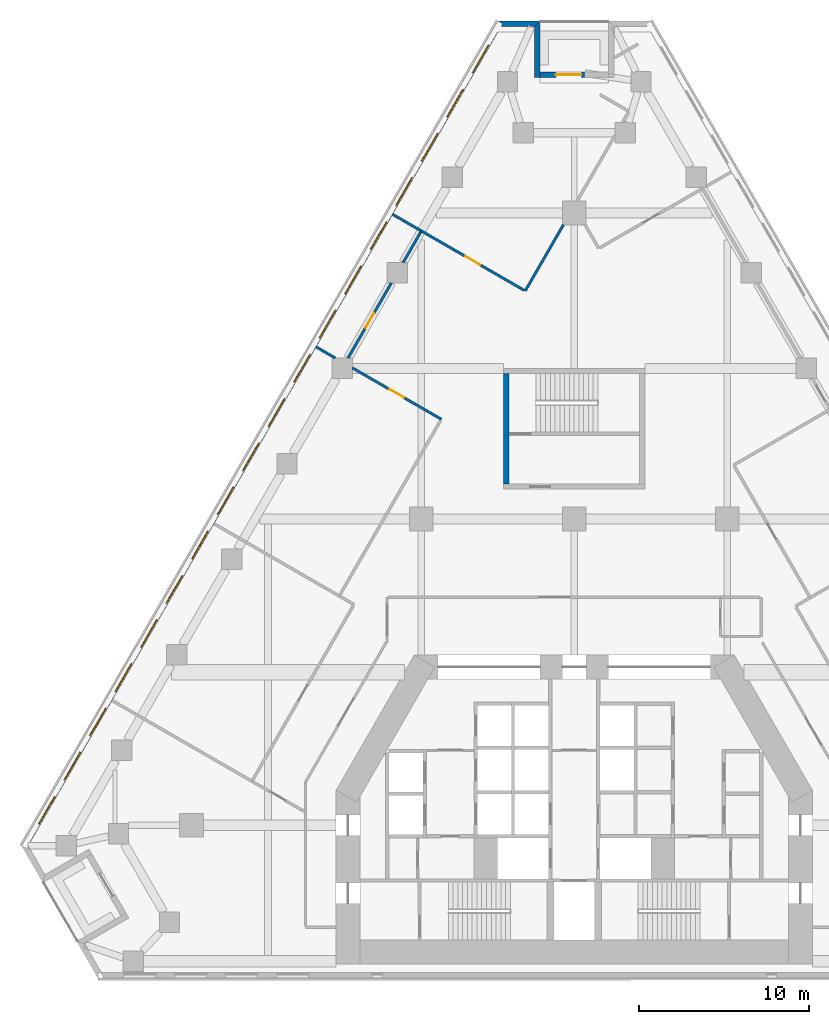
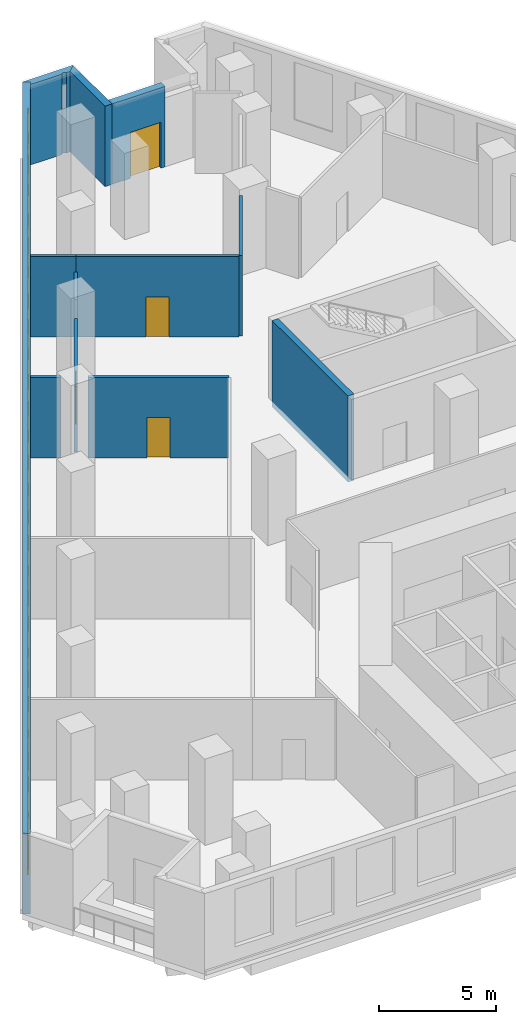
# One storey, part 9 of 14: 18 windows, 12 walls, 4 doors, 22 openings.
"""IFC4 building model written with IfcOpenShell, lengths in metres."""

from ifc_helpers import new_model, si_unit, direction, frame, frame_2d, origin, place, context, subcontext, project, spatial, polyline, rectangle, outline, extrude, material, layer, layer_set, type_object, element, fill, save


model = new_model("IFC4")

# Units and contexts
model_context = context("Model", 3, precision=1e-05, world=origin(), true_north=direction((0.0, 1.0)))
body_context = subcontext(model_context, "Body", "Model", "MODEL_VIEW")
ifc_project = project(units=[si_unit("LENGTHUNIT", "METRE"), si_unit("AREAUNIT", "SQUARE_METRE"), si_unit("VOLUMEUNIT", "CUBIC_METRE"), si_unit("PLANEANGLEUNIT", "RADIAN"), si_unit("MASSUNIT", "GRAM", prefix="KILO")], contexts=[model_context])

# Site, building, storey
site_placement = place(None, origin())
site = spatial("IfcSite", under=ifc_project, at=site_placement, CompositionType="ELEMENT")
building_placement = place(site_placement, origin())
building = spatial("IfcBuilding", under=site, at=building_placement, Name="Fogline Exchange Tower", CompositionType="ELEMENT")
storey_placement = place(building_placement, frame((0.0, 0.0, 34.0)))
storey = spatial("IfcBuildingStorey", under=building, at=storey_placement, Name="L06", CompositionType="ELEMENT", Elevation=34.0)

# Wall
ifc_material_1 = material(Name="Concrete C40", Category="concrete")
ifc_layer_1 = layer(ifc_material_1, 0.300048828125)
ifc_layer_set_1 = layer_set([ifc_layer_1], Name="CW30")
wall_type_1 = type_object("IfcWallType", Name="CW30", PredefinedType="SOLIDWALL", material=ifc_layer_set_1)
wall_1_placement = place(storey_placement, frame((-4.0, 29.056884765625, -0.300048828125), z_axis=(0.0, 0.0, 1.0), x_axis=(0.0, 1.0, 0.0)))
element("IfcWall", 1, at=wall_1_placement, inside=storey, type_object=wall_type_1, Name="Stair enclosure wall ST3", PredefinedType="SOLIDWALL", context=body_context, shape_type="SweptSolid", body=[
    extrude(rectangle(XDim=6.5, YDim=0.300048828125, at=frame_2d((3.25, 0.0))), origin(), (0.0, 0.0, 1.0), 4.5),
])

# Wall, opening, door
ifc_material_2 = material(Name="Brick masonry", Category="masonry")
ifc_layer_2 = layer(ifc_material_2, 0.340087890625)
ifc_layer_set_2 = layer_set([ifc_layer_2], Name="FW1")
wall_type_2 = type_object("IfcWallType", Name="FW1", PredefinedType="SOLIDWALL", material=ifc_layer_set_2)
wall_2_placement = place(storey_placement, frame((0.61328125, 53.12158203125, 0.0), z_axis=(0.0, 0.0, 1.0), x_axis=(-1.0, 0.0, 0.0)))
wall_2 = element("IfcWall", 2, at=wall_2_placement, inside=storey, type_object=wall_type_2, Name="Brick wall L06 N-bk", PredefinedType="SOLIDWALL", context=body_context, shape_type="SweptSolid", body=[
    extrude(rectangle(XDim=2.61328125, YDim=0.340087890625, at=frame_2d((1.306640625, 0.0))), origin(), (0.0, 0.0, 1.0), 4.199951171875),
])
opening_1_placement = place(wall_2_placement, frame((0.199951171875, 0.0, 0.0)))
opening_1 = element("IfcOpeningElement", 3, at=opening_1_placement, cuts=wall_2, Name="Opening T01-E141", PredefinedType="OPENING", context=body_context, shape_type="SweptSolid", body=[
    extrude(rectangle(XDim=1.5, YDim=2.39990234375, at=frame_2d((0.75, 1.199951171875))), frame((0.0, 0.18017578125, 0.0), z_axis=(0.0, -1.0, 0.0), x_axis=(1.0, 0.0, 0.0)), (0.0, 0.0, 1.0), 0.360107421875),
])
ifc_material_3 = material(Name="Aluminium and glass", Category="aluminium")
door_type_1 = type_object("IfcDoorType", Name="ED4", OperationType="SINGLE_SWING_LEFT", PredefinedType="DOOR", material=ifc_material_3)
door_1_placement = place(opening_1_placement, frame((1.5, 0.0, 0.0), z_axis=(0.0, 0.0, 1.0), x_axis=(-1.0, 0.0, 0.0)))
door_1 = element("IfcDoor", 4, at=door_1_placement, inside=storey, type_object=door_type_1, Name="Balcony door L06 N", OperationType="DOUBLE_DOOR_SINGLE_SWING", OverallHeight=2.39990234375, OverallWidth=1.5, PredefinedType="DOOR", context=body_context, shape_type="SweptSolid", body=[
    extrude(rectangle(XDim=1.5, YDim=2.39990234375, at=frame_2d((0.75, 1.199951171875))), frame((0.0, 0.02490234375, 0.0), z_axis=(0.0, -1.0, 0.0), x_axis=(1.0, 0.0, 0.0)), (0.0, 0.0, 1.0), 0.050048828125),
])
fill(opening_1, door_1)

# Walls
wall_3_placement = place(storey_placement, origin())
element("IfcWall", 5, at=wall_3_placement, inside=storey, type_object=wall_type_2, Name="Brick wall L06 N-s2", PredefinedType="SOLIDWALL", context=body_context, shape_type="SweptSolid", body=[
    extrude(outline(polyline([(-1.99951171875, 56.292724609375), (-1.99951171875, 52.951171875), (-2.340576171875, 52.951171875), (-2.340576171875, 55.951904296875), (-1.999755859375, 56.292724609375), (-1.99951171875, 56.292724609375)])), origin(), (0.0, 0.0, 1.0), 4.199951171875),
])
wall_4_placement = place(storey_placement, origin())
element("IfcWall", 6, at=wall_4_placement, inside=storey, type_object=wall_type_2, Name="Brick wall L06 N-c2", PredefinedType="SOLIDWALL", context=body_context, shape_type="SweptSolid", body=[
    extrude(outline(polyline([(-4.206298828125, 56.121337890625), (-4.501220703125, 56.291748046875), (-4.5009765625, 56.292236328125), (-1.9990234375, 56.292236328125), (-1.998779296875, 56.2919921875), (-2.33984375, 55.951171875), (-2.510009765625, 55.951171875), (-2.695068359375, 56.031494140625), (-2.72998046875, 55.951171875), (-4.3046875, 55.951171875), (-4.206298828125, 56.121337890625)])), origin(), (0.0, 0.0, 1.0), 4.199951171875),
])

# Wall, openings, windows
wall_5_placement = place(storey_placement, frame((-4.352783203125, 56.20654296875, 0.0), z_axis=(0.0, 0.0, 1.0), x_axis=(-0.500000836325, -0.866024920931, 0.0)))
wall_5 = element("IfcWall", 7, at=wall_5_placement, inside=storey, type_object=wall_type_2, Name="Brick wall L06 W", PredefinedType="SOLIDWALL", context=body_context, shape_type="SweptSolid", body=[
    extrude(rectangle(XDim=56.0, YDim=0.340087890625, at=frame_2d((28.0, 0.0))), origin(), (0.0, 0.0, 1.0), 4.199951171875),
])
opening_2_placement = place(wall_5_placement, frame((1.5, 0.0, 0.89990234375)))
opening_2 = element("IfcOpeningElement", 8, at=opening_2_placement, cuts=wall_5, Name="Opening W2", PredefinedType="OPENING", context=body_context, shape_type="SweptSolid", body=[
    extrude(rectangle(XDim=1.885009765625, YDim=3.0, at=frame_2d((0.9423828125, 1.5))), frame((0.0, 0.18017578125, 0.0), z_axis=(0.0, -1.0, 0.0), x_axis=(1.0, 0.0, 0.0)), (0.0, 0.0, 1.0), 0.360107421875),
])
opening_3_placement = place(wall_5_placement, frame((4.5, 0.0, 0.89990234375)))
opening_3 = element("IfcOpeningElement", 9, at=opening_3_placement, cuts=wall_5, Name="Opening W2", PredefinedType="OPENING", context=body_context, shape_type="SweptSolid", body=[
    extrude(rectangle(XDim=1.885009765625, YDim=3.0, at=frame_2d((0.9423828125, 1.5))), frame((0.0, 0.18017578125, 0.0), z_axis=(0.0, -1.0, 0.0), x_axis=(1.0, 0.0, 0.0)), (0.0, 0.0, 1.0), 0.360107421875),
])
opening_4_placement = place(wall_5_placement, frame((7.5, 0.0, 0.89990234375)))
opening_4 = element("IfcOpeningElement", 10, at=opening_4_placement, cuts=wall_5, Name="Opening W2", PredefinedType="OPENING", context=body_context, shape_type="SweptSolid", body=[
    extrude(rectangle(XDim=1.885009765625, YDim=3.0, at=frame_2d((0.9423828125, 1.5))), frame((0.0, 0.18017578125, 0.0), z_axis=(0.0, -1.0, 0.0), x_axis=(1.0, 0.0, 0.0)), (0.0, 0.0, 1.0), 0.360107421875),
])
opening_5_placement = place(wall_5_placement, frame((10.5, 0.0, 0.89990234375)))
opening_5 = element("IfcOpeningElement", 11, at=opening_5_placement, cuts=wall_5, Name="Opening W2", PredefinedType="OPENING", context=body_context, shape_type="SweptSolid", body=[
    extrude(rectangle(XDim=1.885009765625, YDim=3.0, at=frame_2d((0.9423828125, 1.5))), frame((0.0, 0.18017578125, 0.0), z_axis=(0.0, -1.0, 0.0), x_axis=(1.0, 0.0, 0.0)), (0.0, 0.0, 1.0), 0.360107421875),
])
opening_6_placement = place(wall_5_placement, frame((13.5, 0.0, 0.89990234375)))
opening_6 = element("IfcOpeningElement", 12, at=opening_6_placement, cuts=wall_5, Name="Opening W2", PredefinedType="OPENING", context=body_context, shape_type="SweptSolid", body=[
    extrude(rectangle(XDim=1.885009765625, YDim=3.0, at=frame_2d((0.9423828125, 1.5))), frame((0.0, 0.18017578125, 0.0), z_axis=(0.0, -1.0, 0.0), x_axis=(1.0, 0.0, 0.0)), (0.0, 0.0, 1.0), 0.360107421875),
])
opening_7_placement = place(wall_5_placement, frame((16.5, 0.0, 0.89990234375)))
opening_7 = element("IfcOpeningElement", 13, at=opening_7_placement, cuts=wall_5, Name="Opening W2", PredefinedType="OPENING", context=body_context, shape_type="SweptSolid", body=[
    extrude(rectangle(XDim=1.885009765625, YDim=3.0, at=frame_2d((0.9423828125, 1.5))), frame((0.0, 0.18017578125, 0.0), z_axis=(0.0, -1.0, 0.0), x_axis=(1.0, 0.0, 0.0)), (0.0, 0.0, 1.0), 0.360107421875),
])
opening_8_placement = place(wall_5_placement, frame((19.5, 0.0, 0.89990234375)))
opening_8 = element("IfcOpeningElement", 14, at=opening_8_placement, cuts=wall_5, Name="Opening W2", PredefinedType="OPENING", context=body_context, shape_type="SweptSolid", body=[
    extrude(rectangle(XDim=1.885009765625, YDim=3.0, at=frame_2d((0.9423828125, 1.5))), frame((0.0, 0.18017578125, 0.0), z_axis=(0.0, -1.0, 0.0), x_axis=(1.0, 0.0, 0.0)), (0.0, 0.0, 1.0), 0.360107421875),
])
opening_9_placement = place(wall_5_placement, frame((22.5, 0.0, 0.89990234375)))
opening_9 = element("IfcOpeningElement", 15, at=opening_9_placement, cuts=wall_5, Name="Opening W2", PredefinedType="OPENING", context=body_context, shape_type="SweptSolid", body=[
    extrude(rectangle(XDim=1.885009765625, YDim=3.0, at=frame_2d((0.9423828125, 1.5))), frame((0.0, 0.18017578125, 0.0), z_axis=(0.0, -1.0, 0.0), x_axis=(1.0, 0.0, 0.0)), (0.0, 0.0, 1.0), 0.360107421875),
])
opening_10_placement = place(wall_5_placement, frame((25.5, 0.0, 0.89990234375)))
opening_10 = element("IfcOpeningElement", 16, at=opening_10_placement, cuts=wall_5, Name="Opening W2", PredefinedType="OPENING", context=body_context, shape_type="SweptSolid", body=[
    extrude(rectangle(XDim=1.885009765625, YDim=3.0, at=frame_2d((0.9423828125, 1.5))), frame((0.0, 0.18017578125, 0.0), z_axis=(0.0, -1.0, 0.0), x_axis=(1.0, 0.0, 0.0)), (0.0, 0.0, 1.0), 0.360107421875),
])
opening_11_placement = place(wall_5_placement, frame((28.5, 0.0, 0.89990234375)))
opening_11 = element("IfcOpeningElement", 17, at=opening_11_placement, cuts=wall_5, Name="Opening W2", PredefinedType="OPENING", context=body_context, shape_type="SweptSolid", body=[
    extrude(rectangle(XDim=1.885009765625, YDim=3.0, at=frame_2d((0.9423828125, 1.5))), frame((0.0, 0.18017578125, 0.0), z_axis=(0.0, -1.0, 0.0), x_axis=(1.0, 0.0, 0.0)), (0.0, 0.0, 1.0), 0.360107421875),
])
opening_12_placement = place(wall_5_placement, frame((31.5, 0.0, 0.89990234375)))
opening_12 = element("IfcOpeningElement", 18, at=opening_12_placement, cuts=wall_5, Name="Opening W2", PredefinedType="OPENING", context=body_context, shape_type="SweptSolid", body=[
    extrude(rectangle(XDim=1.885009765625, YDim=3.0, at=frame_2d((0.9423828125, 1.5))), frame((0.0, 0.18017578125, 0.0), z_axis=(0.0, -1.0, 0.0), x_axis=(1.0, 0.0, 0.0)), (0.0, 0.0, 1.0), 0.360107421875),
])
opening_13_placement = place(wall_5_placement, frame((34.5, 0.0, 0.89990234375)))
opening_13 = element("IfcOpeningElement", 19, at=opening_13_placement, cuts=wall_5, Name="Opening W2", PredefinedType="OPENING", context=body_context, shape_type="SweptSolid", body=[
    extrude(rectangle(XDim=1.885009765625, YDim=3.0, at=frame_2d((0.9423828125, 1.5))), frame((0.0, 0.18017578125, 0.0), z_axis=(0.0, -1.0, 0.0), x_axis=(1.0, 0.0, 0.0)), (0.0, 0.0, 1.0), 0.360107421875),
])
opening_14_placement = place(wall_5_placement, frame((37.5, 0.0, 0.89990234375)))
opening_14 = element("IfcOpeningElement", 20, at=opening_14_placement, cuts=wall_5, Name="Opening W2", PredefinedType="OPENING", context=body_context, shape_type="SweptSolid", body=[
    extrude(rectangle(XDim=1.885009765625, YDim=3.0, at=frame_2d((0.9423828125, 1.5))), frame((0.0, 0.18017578125, 0.0), z_axis=(0.0, -1.0, 0.0), x_axis=(1.0, 0.0, 0.0)), (0.0, 0.0, 1.0), 0.360107421875),
])
opening_15_placement = place(wall_5_placement, frame((40.5, 0.0, 0.89990234375)))
opening_15 = element("IfcOpeningElement", 21, at=opening_15_placement, cuts=wall_5, Name="Opening W2", PredefinedType="OPENING", context=body_context, shape_type="SweptSolid", body=[
    extrude(rectangle(XDim=1.885009765625, YDim=3.0, at=frame_2d((0.9423828125, 1.5))), frame((0.0, 0.18017578125, 0.0), z_axis=(0.0, -1.0, 0.0), x_axis=(1.0, 0.0, 0.0)), (0.0, 0.0, 1.0), 0.360107421875),
])
opening_16_placement = place(wall_5_placement, frame((43.5, 0.0, 0.89990234375)))
opening_16 = element("IfcOpeningElement", 22, at=opening_16_placement, cuts=wall_5, Name="Opening W2", PredefinedType="OPENING", context=body_context, shape_type="SweptSolid", body=[
    extrude(rectangle(XDim=1.885009765625, YDim=3.0, at=frame_2d((0.9423828125, 1.5))), frame((0.0, 0.18017578125, 0.0), z_axis=(0.0, -1.0, 0.0), x_axis=(1.0, 0.0, 0.0)), (0.0, 0.0, 1.0), 0.360107421875),
])
opening_17_placement = place(wall_5_placement, frame((46.5, 0.0, 0.89990234375)))
opening_17 = element("IfcOpeningElement", 23, at=opening_17_placement, cuts=wall_5, Name="Opening W2", PredefinedType="OPENING", context=body_context, shape_type="SweptSolid", body=[
    extrude(rectangle(XDim=1.885009765625, YDim=3.0, at=frame_2d((0.9423828125, 1.5))), frame((0.0, 0.18017578125, 0.0), z_axis=(0.0, -1.0, 0.0), x_axis=(1.0, 0.0, 0.0)), (0.0, 0.0, 1.0), 0.360107421875),
])
opening_18_placement = place(wall_5_placement, frame((49.5, 0.0, 0.89990234375)))
opening_18 = element("IfcOpeningElement", 24, at=opening_18_placement, cuts=wall_5, Name="Opening W2", PredefinedType="OPENING", context=body_context, shape_type="SweptSolid", body=[
    extrude(rectangle(XDim=1.885009765625, YDim=3.0, at=frame_2d((0.9423828125, 1.5))), frame((0.0, 0.18017578125, 0.0), z_axis=(0.0, -1.0, 0.0), x_axis=(1.0, 0.0, 0.0)), (0.0, 0.0, 1.0), 0.360107421875),
])
opening_19_placement = place(wall_5_placement, frame((52.5, 0.0, 0.89990234375)))
opening_19 = element("IfcOpeningElement", 25, at=opening_19_placement, cuts=wall_5, Name="Opening W2", PredefinedType="OPENING", context=body_context, shape_type="SweptSolid", body=[
    extrude(rectangle(XDim=1.885009765625, YDim=3.0, at=frame_2d((0.9423828125, 1.5))), frame((0.0, 0.18017578125, 0.0), z_axis=(0.0, -1.0, 0.0), x_axis=(1.0, 0.0, 0.0)), (0.0, 0.0, 1.0), 0.360107421875),
])
window_type = type_object("IfcWindowType", Name="W2", PartitioningType="SINGLE_PANEL", PredefinedType="WINDOW", material=ifc_material_3)
window_1_placement = place(opening_2_placement, origin())
window_1 = element("IfcWindow", 26, at=window_1_placement, inside=storey, type_object=window_type, Name="W2 W2", OverallHeight=3.0, OverallWidth=1.885009765625, PartitioningType="SINGLE_PANEL", PredefinedType="WINDOW", context=body_context, shape_type="SweptSolid", body=[
    extrude(rectangle(XDim=1.885009765625, YDim=3.0, at=frame_2d((0.9423828125, 1.5))), frame((0.0, 0.110107421875, 0.0), z_axis=(0.0, -1.0, 0.0), x_axis=(1.0, 0.0, 0.0)), (0.0, 0.0, 1.0), 0.06005859375),
])
fill(opening_2, window_1)
window_2_placement = place(opening_3_placement, origin())
window_2 = element("IfcWindow", 27, at=window_2_placement, inside=storey, type_object=window_type, Name="W2 W2", OverallHeight=3.0, OverallWidth=1.885009765625, PartitioningType="SINGLE_PANEL", PredefinedType="WINDOW", context=body_context, shape_type="SweptSolid", body=[
    extrude(rectangle(XDim=1.885009765625, YDim=3.0, at=frame_2d((0.9423828125, 1.5))), frame((0.0, 0.110107421875, 0.0), z_axis=(0.0, -1.0, 0.0), x_axis=(1.0, 0.0, 0.0)), (0.0, 0.0, 1.0), 0.06005859375),
])
fill(opening_3, window_2)
window_3_placement = place(opening_4_placement, origin())
window_3 = element("IfcWindow", 28, at=window_3_placement, inside=storey, type_object=window_type, Name="W2 W2", OverallHeight=3.0, OverallWidth=1.885009765625, PartitioningType="SINGLE_PANEL", PredefinedType="WINDOW", context=body_context, shape_type="SweptSolid", body=[
    extrude(rectangle(XDim=1.885009765625, YDim=3.0, at=frame_2d((0.9423828125, 1.5))), frame((0.0, 0.110107421875, 0.0), z_axis=(0.0, -1.0, 0.0), x_axis=(1.0, 0.0, 0.0)), (0.0, 0.0, 1.0), 0.06005859375),
])
fill(opening_4, window_3)
window_4_placement = place(opening_5_placement, origin())
window_4 = element("IfcWindow", 29, at=window_4_placement, inside=storey, type_object=window_type, Name="W2 W2", OverallHeight=3.0, OverallWidth=1.885009765625, PartitioningType="SINGLE_PANEL", PredefinedType="WINDOW", context=body_context, shape_type="SweptSolid", body=[
    extrude(rectangle(XDim=1.885009765625, YDim=3.0, at=frame_2d((0.9423828125, 1.5))), frame((0.0, 0.110107421875, 0.0), z_axis=(0.0, -1.0, 0.0), x_axis=(1.0, 0.0, 0.0)), (0.0, 0.0, 1.0), 0.06005859375),
])
fill(opening_5, window_4)
window_5_placement = place(opening_6_placement, origin())
window_5 = element("IfcWindow", 30, at=window_5_placement, inside=storey, type_object=window_type, Name="W2 W2", OverallHeight=3.0, OverallWidth=1.885009765625, PartitioningType="SINGLE_PANEL", PredefinedType="WINDOW", context=body_context, shape_type="SweptSolid", body=[
    extrude(rectangle(XDim=1.885009765625, YDim=3.0, at=frame_2d((0.9423828125, 1.5))), frame((0.0, 0.110107421875, 0.0), z_axis=(0.0, -1.0, 0.0), x_axis=(1.0, 0.0, 0.0)), (0.0, 0.0, 1.0), 0.06005859375),
])
fill(opening_6, window_5)
window_6_placement = place(opening_7_placement, origin())
window_6 = element("IfcWindow", 31, at=window_6_placement, inside=storey, type_object=window_type, Name="W2 W2", OverallHeight=3.0, OverallWidth=1.885009765625, PartitioningType="SINGLE_PANEL", PredefinedType="WINDOW", context=body_context, shape_type="SweptSolid", body=[
    extrude(rectangle(XDim=1.885009765625, YDim=3.0, at=frame_2d((0.9423828125, 1.5))), frame((0.0, 0.110107421875, 0.0), z_axis=(0.0, -1.0, 0.0), x_axis=(1.0, 0.0, 0.0)), (0.0, 0.0, 1.0), 0.06005859375),
])
fill(opening_7, window_6)
window_7_placement = place(opening_8_placement, origin())
window_7 = element("IfcWindow", 32, at=window_7_placement, inside=storey, type_object=window_type, Name="W2 W2", OverallHeight=3.0, OverallWidth=1.885009765625, PartitioningType="SINGLE_PANEL", PredefinedType="WINDOW", context=body_context, shape_type="SweptSolid", body=[
    extrude(rectangle(XDim=1.885009765625, YDim=3.0, at=frame_2d((0.9423828125, 1.5))), frame((0.0, 0.110107421875, 0.0), z_axis=(0.0, -1.0, 0.0), x_axis=(1.0, 0.0, 0.0)), (0.0, 0.0, 1.0), 0.06005859375),
])
fill(opening_8, window_7)
window_8_placement = place(opening_9_placement, origin())
window_8 = element("IfcWindow", 33, at=window_8_placement, inside=storey, type_object=window_type, Name="W2 W2", OverallHeight=3.0, OverallWidth=1.885009765625, PartitioningType="SINGLE_PANEL", PredefinedType="WINDOW", context=body_context, shape_type="SweptSolid", body=[
    extrude(rectangle(XDim=1.885009765625, YDim=3.0, at=frame_2d((0.9423828125, 1.5))), frame((0.0, 0.110107421875, 0.0), z_axis=(0.0, -1.0, 0.0), x_axis=(1.0, 0.0, 0.0)), (0.0, 0.0, 1.0), 0.06005859375),
])
fill(opening_9, window_8)
window_9_placement = place(opening_10_placement, origin())
window_9 = element("IfcWindow", 34, at=window_9_placement, inside=storey, type_object=window_type, Name="W2 W2", OverallHeight=3.0, OverallWidth=1.885009765625, PartitioningType="SINGLE_PANEL", PredefinedType="WINDOW", context=body_context, shape_type="SweptSolid", body=[
    extrude(rectangle(XDim=1.885009765625, YDim=3.0, at=frame_2d((0.9423828125, 1.5))), frame((0.0, 0.110107421875, 0.0), z_axis=(0.0, -1.0, 0.0), x_axis=(1.0, 0.0, 0.0)), (0.0, 0.0, 1.0), 0.06005859375),
])
fill(opening_10, window_9)
window_10_placement = place(opening_11_placement, origin())
window_10 = element("IfcWindow", 35, at=window_10_placement, inside=storey, type_object=window_type, Name="W2 W2", OverallHeight=3.0, OverallWidth=1.885009765625, PartitioningType="SINGLE_PANEL", PredefinedType="WINDOW", context=body_context, shape_type="SweptSolid", body=[
    extrude(rectangle(XDim=1.885009765625, YDim=3.0, at=frame_2d((0.9423828125, 1.5))), frame((0.0, 0.110107421875, 0.0), z_axis=(0.0, -1.0, 0.0), x_axis=(1.0, 0.0, 0.0)), (0.0, 0.0, 1.0), 0.06005859375),
])
fill(opening_11, window_10)
window_11_placement = place(opening_12_placement, origin())
window_11 = element("IfcWindow", 36, at=window_11_placement, inside=storey, type_object=window_type, Name="W2 W2", OverallHeight=3.0, OverallWidth=1.885009765625, PartitioningType="SINGLE_PANEL", PredefinedType="WINDOW", context=body_context, shape_type="SweptSolid", body=[
    extrude(rectangle(XDim=1.885009765625, YDim=3.0, at=frame_2d((0.9423828125, 1.5))), frame((0.0, 0.110107421875, 0.0), z_axis=(0.0, -1.0, 0.0), x_axis=(1.0, 0.0, 0.0)), (0.0, 0.0, 1.0), 0.06005859375),
])
fill(opening_12, window_11)
window_12_placement = place(opening_13_placement, origin())
window_12 = element("IfcWindow", 37, at=window_12_placement, inside=storey, type_object=window_type, Name="W2 W2", OverallHeight=3.0, OverallWidth=1.885009765625, PartitioningType="SINGLE_PANEL", PredefinedType="WINDOW", context=body_context, shape_type="SweptSolid", body=[
    extrude(rectangle(XDim=1.885009765625, YDim=3.0, at=frame_2d((0.9423828125, 1.5))), frame((0.0, 0.110107421875, 0.0), z_axis=(0.0, -1.0, 0.0), x_axis=(1.0, 0.0, 0.0)), (0.0, 0.0, 1.0), 0.06005859375),
])
fill(opening_13, window_12)
window_13_placement = place(opening_14_placement, origin())
window_13 = element("IfcWindow", 38, at=window_13_placement, inside=storey, type_object=window_type, Name="W2 W2", OverallHeight=3.0, OverallWidth=1.885009765625, PartitioningType="SINGLE_PANEL", PredefinedType="WINDOW", context=body_context, shape_type="SweptSolid", body=[
    extrude(rectangle(XDim=1.885009765625, YDim=3.0, at=frame_2d((0.9423828125, 1.5))), frame((0.0, 0.110107421875, 0.0), z_axis=(0.0, -1.0, 0.0), x_axis=(1.0, 0.0, 0.0)), (0.0, 0.0, 1.0), 0.06005859375),
])
fill(opening_14, window_13)
window_14_placement = place(opening_15_placement, origin())
window_14 = element("IfcWindow", 39, at=window_14_placement, inside=storey, type_object=window_type, Name="W2 W2", OverallHeight=3.0, OverallWidth=1.885009765625, PartitioningType="SINGLE_PANEL", PredefinedType="WINDOW", context=body_context, shape_type="SweptSolid", body=[
    extrude(rectangle(XDim=1.885009765625, YDim=3.0, at=frame_2d((0.9423828125, 1.5))), frame((0.0, 0.110107421875, 0.0), z_axis=(0.0, -1.0, 0.0), x_axis=(1.0, 0.0, 0.0)), (0.0, 0.0, 1.0), 0.06005859375),
])
fill(opening_15, window_14)
window_15_placement = place(opening_16_placement, origin())
window_15 = element("IfcWindow", 40, at=window_15_placement, inside=storey, type_object=window_type, Name="W2 W2", OverallHeight=3.0, OverallWidth=1.885009765625, PartitioningType="SINGLE_PANEL", PredefinedType="WINDOW", context=body_context, shape_type="SweptSolid", body=[
    extrude(rectangle(XDim=1.885009765625, YDim=3.0, at=frame_2d((0.9423828125, 1.5))), frame((0.0, 0.110107421875, 0.0), z_axis=(0.0, -1.0, 0.0), x_axis=(1.0, 0.0, 0.0)), (0.0, 0.0, 1.0), 0.06005859375),
])
fill(opening_16, window_15)
window_16_placement = place(opening_17_placement, origin())
window_16 = element("IfcWindow", 41, at=window_16_placement, inside=storey, type_object=window_type, Name="W2 W2", OverallHeight=3.0, OverallWidth=1.885009765625, PartitioningType="SINGLE_PANEL", PredefinedType="WINDOW", context=body_context, shape_type="SweptSolid", body=[
    extrude(rectangle(XDim=1.885009765625, YDim=3.0, at=frame_2d((0.9423828125, 1.5))), frame((0.0, 0.110107421875, 0.0), z_axis=(0.0, -1.0, 0.0), x_axis=(1.0, 0.0, 0.0)), (0.0, 0.0, 1.0), 0.06005859375),
])
fill(opening_17, window_16)
window_17_placement = place(opening_18_placement, origin())
window_17 = element("IfcWindow", 42, at=window_17_placement, inside=storey, type_object=window_type, Name="W2 W2", OverallHeight=3.0, OverallWidth=1.885009765625, PartitioningType="SINGLE_PANEL", PredefinedType="WINDOW", context=body_context, shape_type="SweptSolid", body=[
    extrude(rectangle(XDim=1.885009765625, YDim=3.0, at=frame_2d((0.9423828125, 1.5))), frame((0.0, 0.110107421875, 0.0), z_axis=(0.0, -1.0, 0.0), x_axis=(1.0, 0.0, 0.0)), (0.0, 0.0, 1.0), 0.06005859375),
])
fill(opening_18, window_17)
window_18_placement = place(opening_19_placement, origin())
window_18 = element("IfcWindow", 43, at=window_18_placement, inside=storey, type_object=window_type, Name="W2 W2", OverallHeight=3.0, OverallWidth=1.885009765625, PartitioningType="SINGLE_PANEL", PredefinedType="WINDOW", context=body_context, shape_type="SweptSolid", body=[
    extrude(rectangle(XDim=1.885009765625, YDim=3.0, at=frame_2d((0.9423828125, 1.5))), frame((0.0, 0.110107421875, 0.0), z_axis=(0.0, -1.0, 0.0), x_axis=(1.0, 0.0, 0.0)), (0.0, 0.0, 1.0), 0.06005859375),
])
fill(opening_19, window_18)

# Wall, opening, door
ifc_material_4 = material(Name="Plasterboard demising partition with mineral wool and acoustic board")
ifc_layer_3 = layer(ifc_material_4, 0.14990234375)
ifc_layer_set_3 = layer_set([ifc_layer_3], Name="PW3")
wall_type_3 = type_object("IfcWallType", Name="PW3", PredefinedType="PARTITIONING", material=ifc_layer_set_3)
wall_6_placement = place(storey_placement, frame((-8.988037109375, 43.93798828125, 0.0), z_axis=(0.0, 0.0, 1.0), x_axis=(0.866037534292, -0.499978988757, 0.0)))
wall_6 = element("IfcWall", 44, at=wall_6_placement, inside=storey, type_object=wall_type_3, Name="wall-L06-W027", PredefinedType="PARTITIONING", context=body_context, shape_type="SweptSolid", body=[
    extrude(rectangle(XDim=6.974853515625, YDim=0.14990234375, at=frame_2d((3.4873046875, 0.0))), origin(), (0.0, 0.0, 1.0), 4.199951171875),
])
opening_20_placement = place(wall_6_placement, frame((2.987548828125, 0.0, 0.0)))
opening_20 = element("IfcOpeningElement", 45, at=opening_20_placement, cuts=wall_6, Name="Opening T01-D009", PredefinedType="OPENING", context=body_context, shape_type="SweptSolid", body=[
    extrude(rectangle(XDim=1.0, YDim=2.10009765625, at=frame_2d((0.5, 1.050048828125))), frame((0.0, 0.0849609375, 0.0), z_axis=(0.0, -1.0, 0.0), x_axis=(1.0, 0.0, 0.0)), (0.0, 0.0, 1.0), 0.169921875),
])
ifc_material_5 = material(Name="Fire-rated timber door leaf with steel frame", Category="steel")
door_type_2 = type_object("IfcDoorType", Name="D3", OperationType="SINGLE_SWING_LEFT", PredefinedType="DOOR", material=ifc_material_5)
door_2_placement = place(opening_20_placement, origin())
door_2 = element("IfcDoor", 46, at=door_2_placement, inside=storey, type_object=door_type_2, Name="door-L06-D009", OperationType="SINGLE_SWING_LEFT", OverallHeight=2.10009765625, OverallWidth=1.0, PredefinedType="DOOR", context=body_context, shape_type="SweptSolid", body=[
    extrude(rectangle(XDim=1.0, YDim=2.10009765625, at=frame_2d((0.5, 1.050048828125))), frame((0.0, 0.02490234375, 0.0), z_axis=(0.0, -1.0, 0.0), x_axis=(1.0, 0.0, 0.0)), (0.0, 0.0, 1.0), 0.050048828125),
])
fill(opening_20, door_2)

# Wall
wall_7_placement = place(storey_placement, frame((-2.882568359375, 40.4130859375, 0.0), z_axis=(0.0, 0.0, 1.0), x_axis=(0.500000259638, 0.866025253883, 0.0)))
element("IfcWall", 47, at=wall_7_placement, inside=storey, type_object=wall_type_3, Name="wall-L06-W028", PredefinedType="PARTITIONING", context=body_context, shape_type="SweptSolid", body=[
    extrude(rectangle(XDim=4.48828125, YDim=0.14990234375, at=frame_2d((2.244140625, 0.0))), origin(), (0.0, 0.0, 1.0), 4.199951171875),
])

# Wall, opening, door
wall_8_placement = place(storey_placement, frame((-13.30126953125, 36.467529296875, 0.0), z_axis=(0.0, 0.0, 1.0), x_axis=(0.499991921166, 0.866030068051, 0.0)))
wall_8 = element("IfcWall", 48, at=wall_8_placement, inside=storey, type_object=wall_type_3, Name="wall-L06-W029", PredefinedType="PARTITIONING", context=body_context, shape_type="SweptSolid", body=[
    extrude(rectangle(XDim=5.09765625, YDim=0.14990234375, at=frame_2d((2.548828125, 0.0))), origin(), (0.0, 0.0, 1.0), 3.39990234375),
])
opening_21_placement = place(wall_8_placement, frame((2.048828125, 0.0, 0.0)))
opening_21 = element("IfcOpeningElement", 49, at=opening_21_placement, cuts=wall_8, Name="Opening T01-D010", PredefinedType="OPENING", context=body_context, shape_type="SweptSolid", body=[
    extrude(rectangle(XDim=1.0, YDim=2.10009765625, at=frame_2d((0.5, 1.050048828125))), frame((0.0, 0.0849609375, 0.0), z_axis=(0.0, -1.0, 0.0), x_axis=(1.0, 0.0, 0.0)), (0.0, 0.0, 1.0), 0.169921875),
])
door_3_placement = place(opening_21_placement, origin())
door_3 = element("IfcDoor", 50, at=door_3_placement, inside=storey, type_object=door_type_2, Name="door-L06-D010", OperationType="SINGLE_SWING_LEFT", OverallHeight=2.10009765625, OverallWidth=1.0, PredefinedType="DOOR", context=body_context, shape_type="SweptSolid", body=[
    extrude(rectangle(XDim=1.0, YDim=2.10009765625, at=frame_2d((0.5, 1.050048828125))), frame((0.0, 0.02490234375, 0.0), z_axis=(0.0, -1.0, 0.0), x_axis=(1.0, 0.0, 0.0)), (0.0, 0.0, 1.0), 0.050048828125),
])
fill(opening_21, door_3)

# Wall
wall_9_placement = place(storey_placement, frame((-10.0595703125, 42.082275390625, 0.0), z_axis=(0.0, 0.0, 1.0), x_axis=(0.500012022864, 0.866018462269, 0.0)))
element("IfcWall", 51, at=wall_9_placement, inside=storey, type_object=wall_type_3, Name="wall-L06-W030", PredefinedType="PARTITIONING", context=body_context, shape_type="SweptSolid", body=[
    extrude(rectangle(XDim=2.06787109375, YDim=0.14990234375, at=frame_2d((1.033935546875, 0.0))), origin(), (0.0, 0.0, 1.0), 3.39990234375),
])

# Wall, opening, door
wall_10_placement = place(storey_placement, frame((-7.815673828125, 32.868896484375, 0.0), z_axis=(0.0, 0.0, 1.0), x_axis=(-0.866018688909, 0.500011630325, 0.0)))
wall_10 = element("IfcWall", 52, at=wall_10_placement, inside=storey, type_object=wall_type_3, Name="wall-L06-W032", PredefinedType="PARTITIONING", context=body_context, shape_type="SweptSolid", body=[
    extrude(rectangle(XDim=6.041259765625, YDim=0.14990234375, at=frame_2d((3.0205078125, 0.0))), origin(), (0.0, 0.0, 1.0), 4.199951171875),
])
opening_22_placement = place(wall_10_placement, frame((2.520751953125, 0.0, 0.0)))
opening_22 = element("IfcOpeningElement", 53, at=opening_22_placement, cuts=wall_10, Name="Opening T01-D011", PredefinedType="OPENING", context=body_context, shape_type="SweptSolid", body=[
    extrude(rectangle(XDim=1.0, YDim=2.10009765625, at=frame_2d((0.5, 1.050048828125))), frame((0.0, 0.0849609375, 0.0), z_axis=(0.0, -1.0, 0.0), x_axis=(1.0, 0.0, 0.0)), (0.0, 0.0, 1.0), 0.169921875),
])
door_4_placement = place(opening_22_placement, origin())
door_4 = element("IfcDoor", 54, at=door_4_placement, inside=storey, type_object=door_type_2, Name="door-L06-D011", OperationType="SINGLE_SWING_LEFT", OverallHeight=2.10009765625, OverallWidth=1.0, PredefinedType="DOOR", context=body_context, shape_type="SweptSolid", body=[
    extrude(rectangle(XDim=1.0, YDim=2.10009765625, at=frame_2d((0.5, 1.050048828125))), frame((0.0, 0.02490234375, 0.0), z_axis=(0.0, -1.0, 0.0), x_axis=(1.0, 0.0, 0.0)), (0.0, 0.0, 1.0), 0.050048828125),
])
fill(opening_22, door_4)

# Walls
wall_11_placement = place(storey_placement, frame((-8.988037109375, 43.93798828125, 0.0), z_axis=(0.0, 0.0, 1.0), x_axis=(-0.866000020948, 0.500043961785, 0.0)))
element("IfcWall", 55, at=wall_11_placement, inside=storey, type_object=wall_type_3, Name="wall-L06-W041", PredefinedType="PARTITIONING", context=body_context, shape_type="SweptSolid", body=[
    extrude(rectangle(XDim=1.949951171875, YDim=0.14990234375, at=frame_2d((0.97509765625, 0.0))), origin(), (0.0, 0.0, 1.0), 4.199951171875),
])
wall_12_placement = place(storey_placement, frame((-14.048828125, 36.467529296875, 0.0), z_axis=(0.0, 0.0, 1.0), x_axis=(-0.865973311606, 0.500090215447, 0.0)))
element("IfcWall", 56, at=wall_12_placement, inside=storey, type_object=wall_type_3, Name="wall-L06-W042", PredefinedType="PARTITIONING", context=body_context, shape_type="SweptSolid", body=[
    extrude(rectangle(XDim=1.302490234375, YDim=0.14990234375, at=frame_2d((0.6513671875, 0.0))), origin(), (0.0, 0.0, 1.0), 4.199951171875),
])

save(model, "model.ifc")
